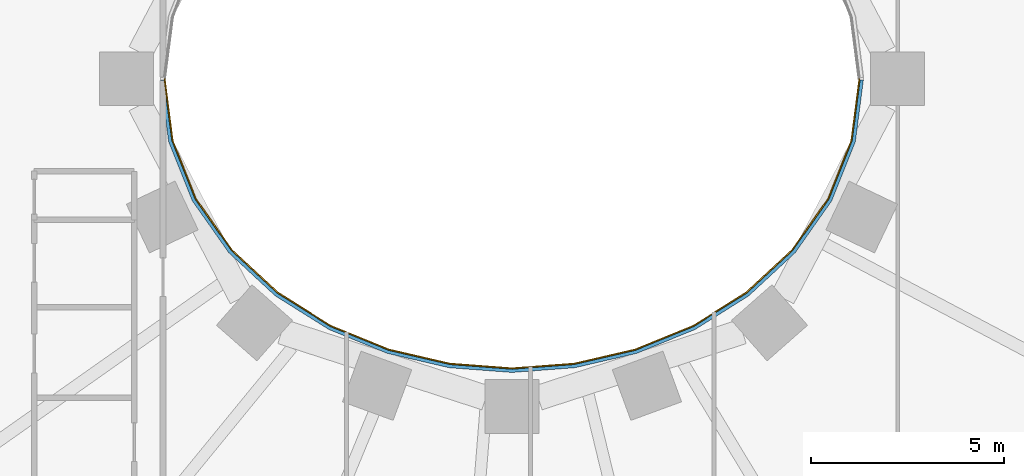
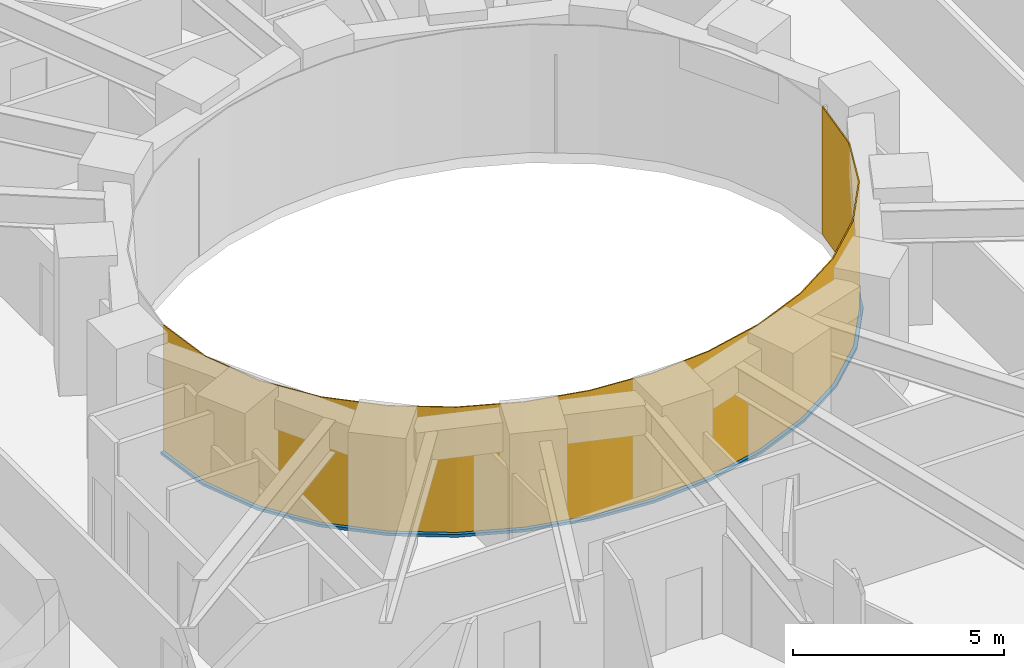
# One storey, part 9 of 16: 1 curtain wall, 1 member.
"""IFC4 building model written with IfcOpenShell, lengths in metres."""

from ifc_helpers import new_model, si_unit, direction, frame, origin, place, context, subcontext, project, spatial, polyline, outline, extrude, material, layer, layer_set, type_object, element, aggregate, save


model = new_model("IFC4")

# Units and contexts
model_context = context("Model", 3, precision=1e-05, world=origin(), true_north=direction((0.0, 1.0)))
body_context = subcontext(model_context, "Body", "Model", "MODEL_VIEW")
ifc_project = project(units=[si_unit("LENGTHUNIT", "METRE"), si_unit("AREAUNIT", "SQUARE_METRE"), si_unit("VOLUMEUNIT", "CUBIC_METRE"), si_unit("PLANEANGLEUNIT", "RADIAN"), si_unit("MASSUNIT", "GRAM", prefix="KILO")], contexts=[model_context])

# Member
ifc_material_1 = material(Name="Steel S355 fire-resisting frame", Category="steel")
member_type = type_object("IfcMemberType", Name="ENV-TRANSOM-W", PredefinedType="USERDEFINED", material=ifc_material_1)
site_placement = place(None, origin())
building_placement = place(site_placement, origin())
storey_placement = place(building_placement, frame((0.0, 0.0, 54.5)))
member_placement = place(storey_placement, origin())
member = element("IfcMember", 1, at=member_placement, type_object=member_type, Name="Transom W well 17-01", ObjectType="TRANSOM", PredefinedType="USERDEFINED", context=body_context, shape_type="SweptSolid", body=[
    extrude(outline(polyline([(-9.119384765625, -0.02783203125), (-8.910400390625, -1.63623046875), (-8.29833984375, -3.167236328125), (-7.35107421875, -4.5146484375), (-6.1455078125, -5.6337890625), (-4.75341796875, -6.50634765625), (-3.233642578125, -7.127685546875), (-1.635498046875, -7.498779296875), (0.0, -7.622314453125), (1.635498046875, -7.498779296875), (3.233642578125, -7.127685546875), (4.75341796875, -6.50634765625), (6.1455078125, -5.6337890625), (7.35107421875, -4.5146484375), (8.29833984375, -3.167236328125), (8.910400390625, -1.63623046875), (9.119384765625, -0.02783203125), (9.02880859375, -0.02783203125), (8.822509765625, -1.61328125), (8.21875, -3.124267578125), (7.282958984375, -4.455078125), (6.090576171875, -5.56201171875), (4.712158203125, -6.426025390625), (3.206298828125, -7.04150390625), (1.621826171875, -7.40966796875), (0.0, -7.531982421875), (-1.621826171875, -7.40966796875), (-3.206298828125, -7.04150390625), (-4.712158203125, -6.426025390625), (-6.090576171875, -5.56201171875), (-7.282958984375, -4.455078125), (-8.21875, -3.124267578125), (-8.822509765625, -1.61328125), (-9.02880859375, -0.02783203125), (-9.119384765625, -0.02783203125)])), origin(), (0.0, 0.0, 1.0), 0.080078125),
])

# Site, building, storey
site = spatial("IfcSite", under=ifc_project, at=site_placement, CompositionType="ELEMENT")
building = spatial("IfcBuilding", under=site, at=building_placement, Name="Noorbagh Ring Tower", CompositionType="ELEMENT")
storey = spatial("IfcBuildingStorey", under=building, at=storey_placement, Name="L11", CompositionType="ELEMENT", Elevation=54.5)

# Curtain wall
ifc_material_2 = material(Name="Glass fire-resisting E60 laminated", Category="glass")
ifc_layer = layer(ifc_material_2, 0.031982421875)
ifc_layer_set = layer_set([ifc_layer], Name="Glass fire-resisting E60 laminated")
curtain_wall_type = type_object("IfcCurtainWallType", Name="ENV-CW-W", PredefinedType="NOTDEFINED", material=ifc_layer_set)
curtain_wall_placement = place(storey_placement, origin())
curtain_wall = element("IfcCurtainWall", 2, at=curtain_wall_placement, inside=storey, type_object=curtain_wall_type, Name="Curtain wall W W17", PredefinedType="NOTDEFINED", context=body_context, shape_type="SweptSolid", body=[
    extrude(outline(polyline([(-9.0322265625, 0.0), (-8.822509765625, -1.61328125), (-8.21875, -3.124267578125), (-7.282958984375, -4.455078125), (-6.090576171875, -5.56201171875), (-4.712158203125, -6.426025390625), (-3.206298828125, -7.04150390625), (-1.621826171875, -7.40966796875), (0.0, -7.531982421875), (1.621826171875, -7.40966796875), (3.206298828125, -7.04150390625), (4.712158203125, -6.426025390625), (6.090576171875, -5.56201171875), (7.282958984375, -4.455078125), (8.21875, -3.124267578125), (8.822509765625, -1.61328125), (9.0322265625, 0.0), (9.0, 0.0), (8.79150390625, -1.605224609375), (8.1904296875, -3.10888671875), (7.2587890625, -4.43408203125), (6.071044921875, -5.53662109375), (4.697509765625, -6.3974609375), (3.196533203125, -7.010986328125), (1.6171875, -7.3779296875), (0.0, -7.5), (-1.6171875, -7.3779296875), (-3.196533203125, -7.010986328125), (-4.697509765625, -6.3974609375), (-6.071044921875, -5.53662109375), (-7.2587890625, -4.43408203125), (-8.1904296875, -3.10888671875), (-8.79150390625, -1.605224609375), (-9.0, 0.0), (-9.0322265625, 0.0)])), origin(), (0.0, 0.0, 1.0), 3.699951171875),
])

aggregate(curtain_wall, [member])

save(model, "model.ifc")
